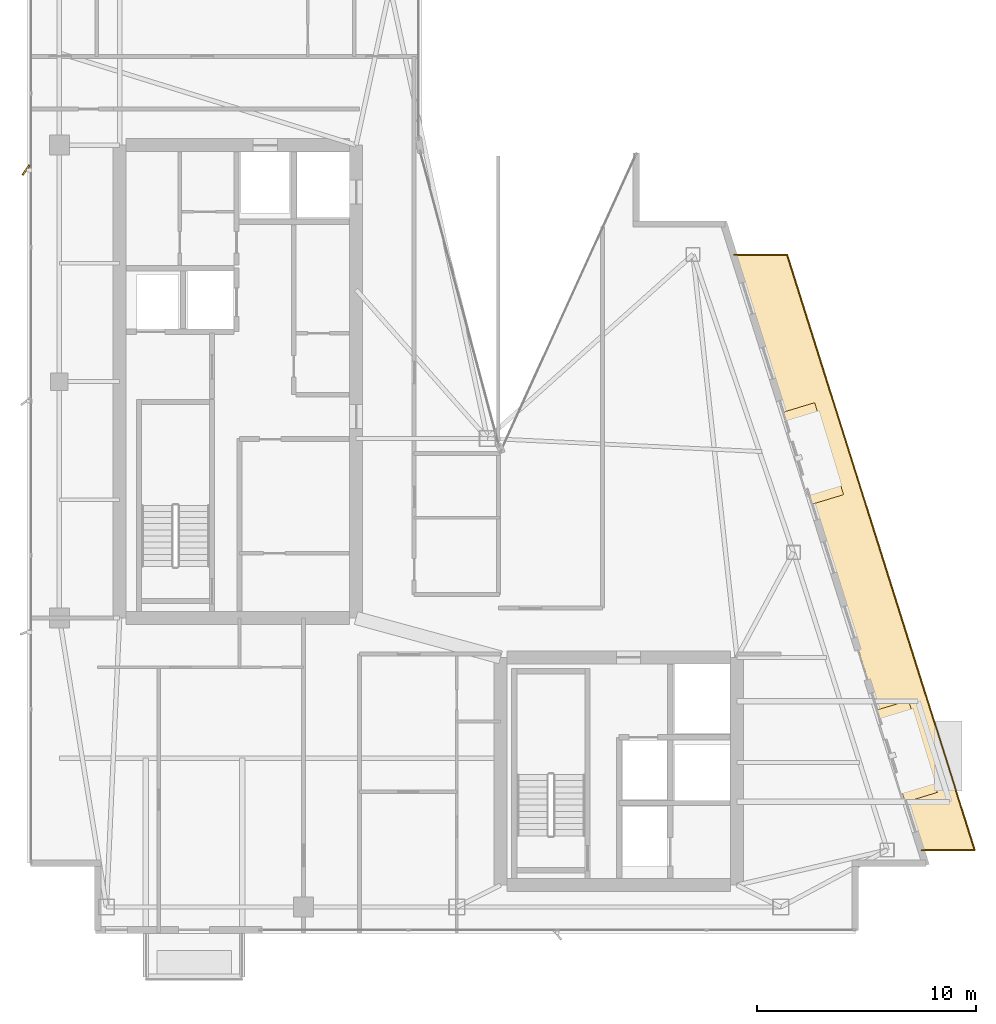
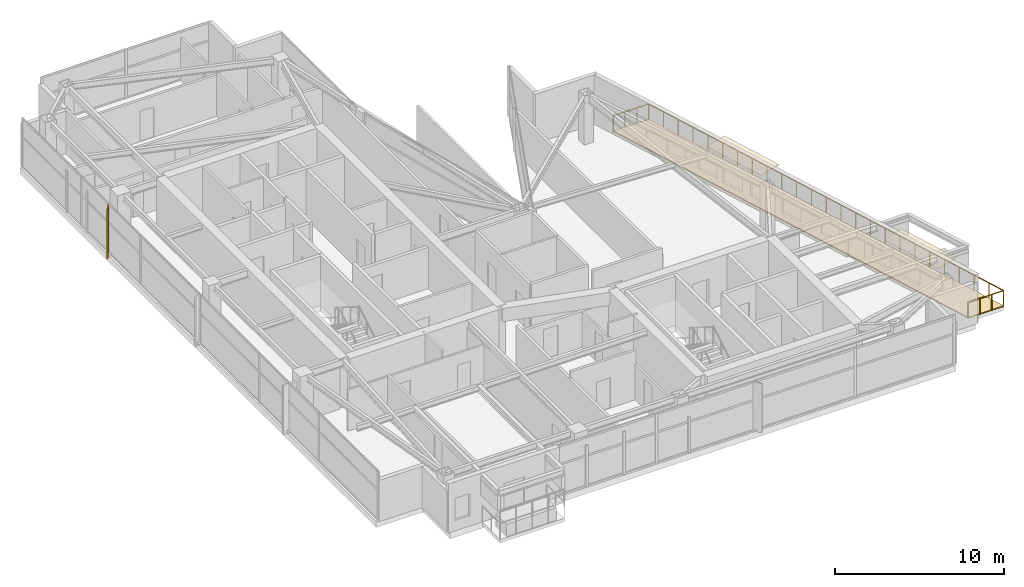
# One storey, part 27 of 27: 3 coverings, 1 railing, 1 shading device.
"""IFC4 building model written with IfcOpenShell, lengths in metres."""

from ifc_helpers import new_model, si_unit, direction, frame, origin, origin_2d, place, context, subcontext, project, spatial, polyline, rectangle, circle, outline, extrude, material, layer, layer_set, type_object, element, save


model = new_model("IFC4")

# Units and contexts
model_context = context("Model", 3, precision=1e-05, world=origin(), true_north=direction((0.0, 1.0)))
body_context = subcontext(model_context, "Body", "Model", "MODEL_VIEW")
ifc_project = project(units=[si_unit("LENGTHUNIT", "METRE"), si_unit("AREAUNIT", "SQUARE_METRE"), si_unit("VOLUMEUNIT", "CUBIC_METRE"), si_unit("PLANEANGLEUNIT", "RADIAN"), si_unit("MASSUNIT", "GRAM", prefix="KILO")], contexts=[model_context])

# Site, building, storey
site_placement = place(None, origin())
site = spatial("IfcSite", under=ifc_project, at=site_placement, CompositionType="ELEMENT")
building_placement = place(site_placement, origin())
building = spatial("IfcBuilding", under=site, at=building_placement, Name="Calvorn Quay Hotel", CompositionType="ELEMENT")
storey_placement = place(building_placement, frame((0.0, 0.0, 287.300048828125)))
storey = spatial("IfcBuildingStorey", under=building, at=storey_placement, Name="L71", CompositionType="ELEMENT", Elevation=287.300048828125)

# Coverings
ifc_material_1 = material(Name="Pale Anodised Aluminium Rainscreen Cladding", Category="aluminium")
ifc_layer_1 = layer(ifc_material_1, 0.044921875)
ifc_layer_set_1 = layer_set([ifc_layer_1], Name="COV-CROWN-CLAD")
covering_type_1 = type_object("IfcCoveringType", Name="COV-CROWN-CLAD", PredefinedType="CLADDING", material=ifc_layer_set_1)
covering_1_placement = place(storey_placement, frame((0.0, 0.0, 2.5048828125)))
element("IfcCovering", 1, at=covering_1_placement, inside=storey, type_object=covering_type_1, Name="Angled Bay Hood Canopy L71-HOOD-1", PredefinedType="CLADDING", context=body_context, shape_type="SweptSolid", body=[
    extrude(outline(polyline([(38.757080078125, 12.587890625), (40.22998046875, 13.034912109375), (41.552978515625, 8.8349609375), (40.080078125, 8.387939453125), (38.757080078125, 12.587890625)])), origin(), (0.0, 0.0, 1.0), 0.045166015625),
])
covering_2_placement = place(storey_placement, frame((0.0, 0.0, 2.5048828125)))
element("IfcCovering", 2, at=covering_2_placement, inside=storey, type_object=covering_type_1, Name="Angled Bay Hood Canopy L71-HOOD-3", PredefinedType="CLADDING", context=body_context, shape_type="SweptSolid", body=[
    extrude(outline(polyline([(34.471923828125, 26.18798828125), (35.945068359375, 26.635009765625), (37.26806640625, 22.43505859375), (35.794921875, 21.988037109375), (34.471923828125, 26.18798828125)])), origin(), (0.0, 0.0, 1.0), 0.045166015625),
])
ifc_material_2 = material(Name="Insulated Elastomeric Waterproof Roofing")
ifc_layer_2 = layer(ifc_material_2, 0.080078125)
ifc_layer_set_2 = layer_set([ifc_layer_2], Name="COV-ROOF-MEMBRANE")
covering_type_2 = type_object("IfcCoveringType", Name="COV-ROOF-MEMBRANE", PredefinedType="ROOFING", material=ifc_layer_set_2)
covering_3_placement = place(storey_placement, origin())
element("IfcCovering", 3, at=covering_3_placement, inside=storey, type_object=covering_type_2, Name="Setback Terrace Waterproofing (L71)", PredefinedType="ROOFING", context=body_context, shape_type="SweptSolid", body=[
    extrude(outline(polyline([(40.8310546875, 6.199951171875), (43.260986328125, 6.199951171875), (34.69091796875, 33.39990234375), (32.260986328125, 33.39990234375), (40.8310546875, 6.199951171875)])), origin(), (0.0, 0.0, 1.0), 0.079833984375),
])

# Railing
ifc_material_3 = material(Name="Pale Anodised Aluminium and Laminated Glass", Category="aluminium")
railing_type = type_object("IfcRailingType", Name="RLG-BALUSTRADE-1200", PredefinedType="BALUSTRADE", material=ifc_material_3)
railing_placement = place(storey_placement, frame((40.8310546875, 6.199951171875, 0.0)))
element("IfcRailing", 4, at=railing_placement, inside=storey, type_object=railing_type, Name="Sawtooth Setback Terrace Balustrade (L71)", PredefinedType="BALUSTRADE", context=body_context, shape_type="SweptSolid", body=[
    extrude(circle(Radius=0.02392578125, at=origin_2d()), frame((0.0, 0.0, 1.17578125), z_axis=(1.0, 0.0, 0.0), x_axis=(0.0, 1.0, 0.0)), (0.0, 0.0, 1.0), 2.429931640625),
    extrude(circle(Radius=0.02392578125, at=origin_2d()), frame((2.429931640625, 0.0, 1.17578125), z_axis=(-0.300513044248, 0.953777704833, 0.0), x_axis=(-0.953777704833, -0.300513044248, 0.0)), (0.0, 0.0, 1.0), 28.51806640625),
    extrude(circle(Radius=0.02392578125, at=origin_2d()), frame((-6.14013671875, 27.199951171875, 1.17578125), z_axis=(-1.0, 0.0, 0.0), x_axis=(0.0, -1.0, 0.0)), (0.0, 0.0, 1.0), 2.429931640625),
    extrude(circle(Radius=0.02099609375, at=origin_2d()), origin(), (0.0, 0.0, 1.0), 1.15185546875),
    extrude(circle(Radius=0.02099609375, at=origin_2d()), frame((0.81005859375, 0.0, 0.0)), (0.0, 0.0, 1.0), 1.15185546875),
    extrude(circle(Radius=0.02099609375, at=origin_2d()), frame((1.619873046875, 0.0, 0.0)), (0.0, 0.0, 1.0), 1.15185546875),
    extrude(circle(Radius=0.02099609375, at=origin_2d()), frame((2.429931640625, 0.0, 0.0)), (0.0, 0.0, 1.0), 1.15185546875),
    extrude(circle(Radius=0.02099609375, at=origin_2d()), frame((2.07275390625, 1.13330078125, 0.0)), (0.0, 0.0, 1.0), 1.15185546875),
    extrude(circle(Radius=0.02099609375, at=origin_2d()), frame((1.7158203125, 2.2666015625, 0.0)), (0.0, 0.0, 1.0), 1.15185546875),
    extrude(circle(Radius=0.02099609375, at=origin_2d()), frame((1.358642578125, 3.39990234375, 0.0)), (0.0, 0.0, 1.0), 1.15185546875),
    extrude(circle(Radius=0.02099609375, at=origin_2d()), frame((1.00146484375, 4.533203125, 0.0)), (0.0, 0.0, 1.0), 1.15185546875),
    extrude(circle(Radius=0.02099609375, at=origin_2d()), frame((0.64453125, 5.666748046875, 0.0)), (0.0, 0.0, 1.0), 1.15185546875),
    extrude(circle(Radius=0.02099609375, at=origin_2d()), frame((0.287353515625, 6.800048828125, 0.0)), (0.0, 0.0, 1.0), 1.15185546875),
    extrude(circle(Radius=0.02099609375, at=origin_2d()), frame((-0.069580078125, 7.933349609375, 0.0)), (0.0, 0.0, 1.0), 1.15185546875),
    extrude(circle(Radius=0.02099609375, at=origin_2d()), frame((-0.4267578125, 9.066650390625, 0.0)), (0.0, 0.0, 1.0), 1.15185546875),
    extrude(circle(Radius=0.02099609375, at=origin_2d()), frame((-0.783935546875, 10.199951171875, 0.0)), (0.0, 0.0, 1.0), 1.15185546875),
    extrude(circle(Radius=0.02099609375, at=origin_2d()), frame((-1.140869140625, 11.333251953125, 0.0)), (0.0, 0.0, 1.0), 1.15185546875),
    extrude(circle(Radius=0.02099609375, at=origin_2d()), frame((-1.498046875, 12.466552734375, 0.0)), (0.0, 0.0, 1.0), 1.15185546875),
    extrude(circle(Radius=0.02099609375, at=origin_2d()), frame((-1.85498046875, 13.60009765625, 0.0)), (0.0, 0.0, 1.0), 1.15185546875),
    extrude(circle(Radius=0.02099609375, at=origin_2d()), frame((-2.212158203125, 14.7333984375, 0.0)), (0.0, 0.0, 1.0), 1.15185546875),
    extrude(circle(Radius=0.02099609375, at=origin_2d()), frame((-2.5693359375, 15.86669921875, 0.0)), (0.0, 0.0, 1.0), 1.15185546875),
    extrude(circle(Radius=0.02099609375, at=origin_2d()), frame((-2.92626953125, 17.0, 0.0)), (0.0, 0.0, 1.0), 1.15185546875),
    extrude(circle(Radius=0.02099609375, at=origin_2d()), frame((-3.283447265625, 18.13330078125, 0.0)), (0.0, 0.0, 1.0), 1.15185546875),
    extrude(circle(Radius=0.02099609375, at=origin_2d()), frame((-3.640625, 19.2666015625, 0.0)), (0.0, 0.0, 1.0), 1.15185546875),
    extrude(circle(Radius=0.02099609375, at=origin_2d()), frame((-3.99755859375, 20.39990234375, 0.0)), (0.0, 0.0, 1.0), 1.15185546875),
    extrude(circle(Radius=0.02099609375, at=origin_2d()), frame((-4.354736328125, 21.533203125, 0.0)), (0.0, 0.0, 1.0), 1.15185546875),
    extrude(circle(Radius=0.02099609375, at=origin_2d()), frame((-4.7119140625, 22.66650390625, 0.0)), (0.0, 0.0, 1.0), 1.15185546875),
    extrude(circle(Radius=0.02099609375, at=origin_2d()), frame((-5.06884765625, 23.800048828125, 0.0)), (0.0, 0.0, 1.0), 1.15185546875),
    extrude(circle(Radius=0.02099609375, at=origin_2d()), frame((-5.426025390625, 24.933349609375, 0.0)), (0.0, 0.0, 1.0), 1.15185546875),
    extrude(circle(Radius=0.02099609375, at=origin_2d()), frame((-5.782958984375, 26.066650390625, 0.0)), (0.0, 0.0, 1.0), 1.15185546875),
    extrude(circle(Radius=0.02099609375, at=origin_2d()), frame((-6.14013671875, 27.199951171875, 0.0)), (0.0, 0.0, 1.0), 1.15185546875),
    extrude(circle(Radius=0.02099609375, at=origin_2d()), frame((-6.9501953125, 27.199951171875, 0.0)), (0.0, 0.0, 1.0), 1.15185546875),
    extrude(circle(Radius=0.02099609375, at=origin_2d()), frame((-7.760009765625, 27.199951171875, 0.0)), (0.0, 0.0, 1.0), 1.15185546875),
    extrude(circle(Radius=0.02099609375, at=origin_2d()), frame((-8.570068359375, 27.199951171875, 0.0)), (0.0, 0.0, 1.0), 1.15185546875),
])

# Shading device
ifc_material_4 = material(Name="Champagne Bronze Anodised Aluminium 6063-T6", Category="aluminium")
shading_device_type = type_object("IfcShadingDeviceType", Name="SHD-FIN-A3", PredefinedType="USERDEFINED", material=ifc_material_4)
shading_device_placement = place(storey_placement, frame((-0.080078125, 37.25, 0.0), z_axis=(0.0, 0.0, 1.0), x_axis=(0.587785252292, 0.809016994375, 0.0)))
element("IfcShadingDevice", 5, at=shading_device_placement, inside=storey, type_object=shading_device_type, Name="Diagonal Sun-Shading Fin L71-W03", ObjectType="FIN", PredefinedType="USERDEFINED", context=body_context, shape_type="SweptSolid", body=[
    extrude(rectangle(XDim=0.550048828125, YDim=0.080078125, at=origin_2d()), origin(), (0.0, 0.0, 1.0), 3.56005859375),
])

save(model, "model.ifc")
